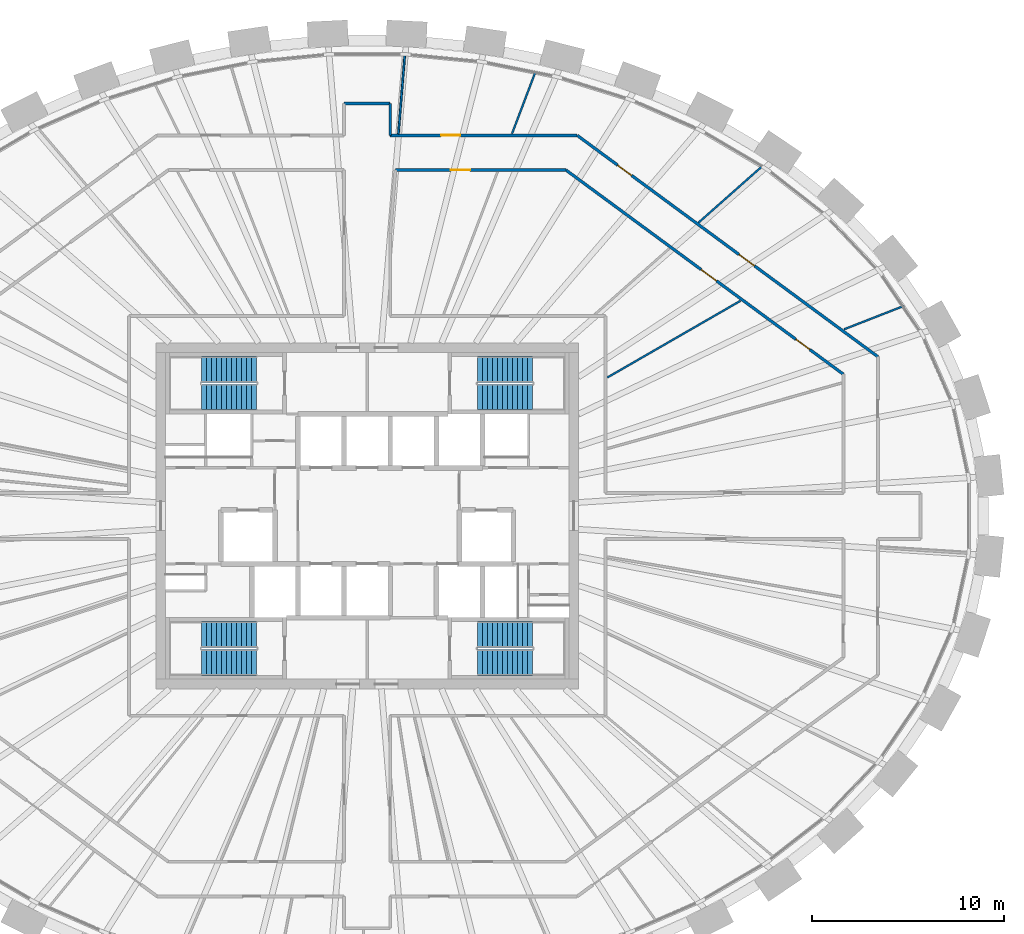
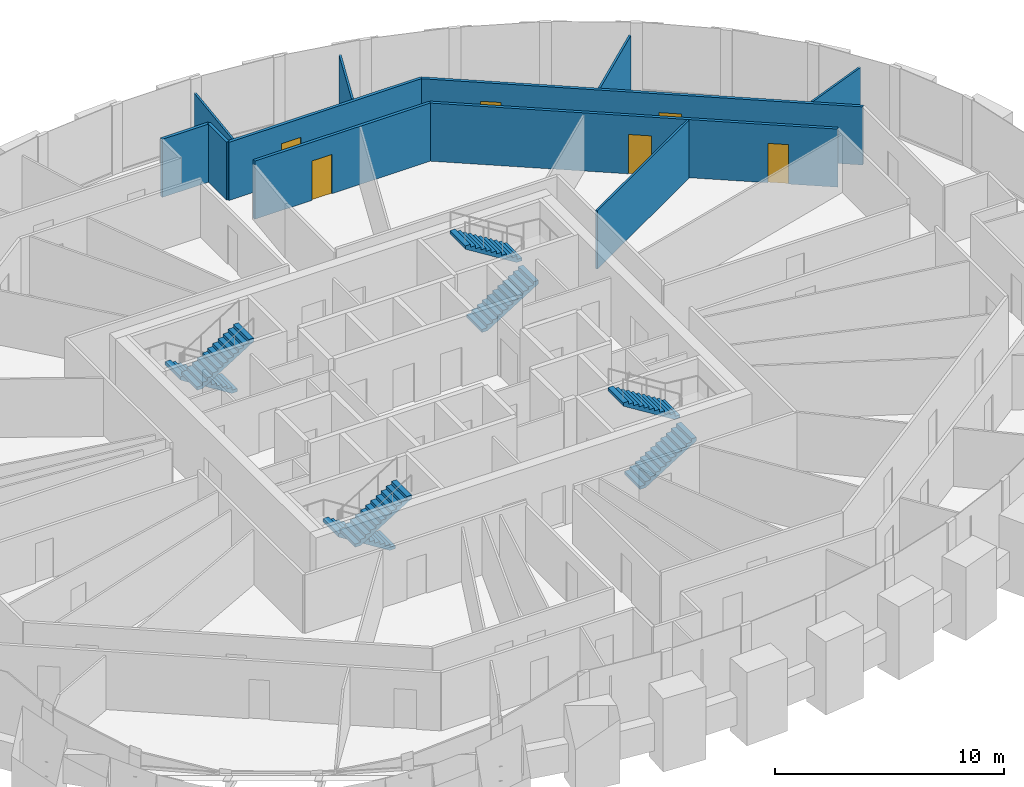
# One storey, part 11 of 12: 11 walls, 8 stair flights, 6 doors, 6 openings, 4 elements without a shape of their own.
"""IFC4 building model written with IfcOpenShell, lengths in metres."""

from ifc_helpers import new_model, si_unit, direction, frame, frame_2d, origin, place, context, subcontext, project, spatial, polyline, rectangle, outline, extrude, source, transform, mapped, material, layer, layer_set, type_object, element, fill, aggregate, save


model = new_model("IFC4")

# Units and contexts
model_context = context("Model", 3, precision=1e-05, world=origin(), true_north=direction((0.0, 1.0)))
body_context = subcontext(model_context, "Body", "Model", "MODEL_VIEW")
ifc_project = project(units=[si_unit("LENGTHUNIT", "METRE"), si_unit("AREAUNIT", "SQUARE_METRE"), si_unit("VOLUMEUNIT", "CUBIC_METRE"), si_unit("PLANEANGLEUNIT", "RADIAN"), si_unit("MASSUNIT", "GRAM", prefix="KILO")], contexts=[model_context])

# Site, building, storey
site_placement = place(None, origin())
site = spatial("IfcSite", under=ifc_project, at=site_placement, CompositionType="ELEMENT")
building_placement = place(site_placement, origin())
building = spatial("IfcBuilding", under=site, at=building_placement, Name="Embergate Tower", CompositionType="ELEMENT")
storey_placement = place(building_placement, frame((0.0, 0.0, 273.39990234375)))
storey = spatial("IfcBuildingStorey", under=building, at=storey_placement, Name="L63", CompositionType="ELEMENT", Elevation=273.39990234375)

# Wall
ifc_material_1 = material(Name="Corridor wall dry-lined 150")
ifc_layer_1 = layer(ifc_material_1, 0.14990234375)
ifc_layer_set_1 = layer_set([ifc_layer_1], Name="Corridor wall dry-lined 150")
wall_type_1 = type_object("IfcWallType", Name="Corridor wall dry-lined 150", PredefinedType="PARTITIONING", material=ifc_layer_set_1)
shared_shape_1 = source(origin(), body_context, "Body", "SweptSolid", [
    extrude(rectangle(XDim=2.39990234375, YDim=0.14990234375, at=frame_2d((1.199951171875, 0.0))), origin(), (0.0, 0.0, 1.0), 3.10009765625),
])
wall_1_placement = place(storey_placement, frame((-1.199951171875, 21.458984375, 0.0), z_axis=(0.0, 0.0, 1.0), x_axis=(1.0, 0.0, 0.0)))
element("IfcWall", 1, at=wall_1_placement, inside=storey, type_object=wall_type_1, Name="IP-2 wall", PredefinedType="PARTITIONING", context=body_context, shape_type="MappedRepresentation", body=[
    mapped(shared_shape_1, transform((0.0, 0.0, 0.0))),
])

# Wall, openings, doors
shared_shape_2 = source(origin(), body_context, "Body", "SweptSolid", [
    extrude(rectangle(XDim=19.429931640625, YDim=0.14990234375, at=frame_2d((9.71484375, 0.0))), origin(), (0.0, 0.0, 1.0), 3.10009765625),
])
wall_2_placement = place(storey_placement, frame((26.5810546875, 8.283935546875, 0.0), z_axis=(0.0, 0.0, 1.0), x_axis=(-0.8053507143, 0.592798639486, 0.0)))
wall_2 = element("IfcWall", 2, at=wall_2_placement, inside=storey, type_object=wall_type_1, Name="IP-2 wall", PredefinedType="PARTITIONING", context=body_context, shape_type="MappedRepresentation", body=[
    mapped(shared_shape_2, transform((0.0, 0.0, 0.0))),
])
shared_shape_3 = source(origin(), body_context, "Body", "SweptSolid", [
    extrude(rectangle(XDim=1.0, YDim=2.10009765625, at=frame_2d((0.5, 1.050048828125))), frame((0.0, 0.0849609375, 0.0), z_axis=(0.0, -1.0, 0.0), x_axis=(1.0, 0.0, 0.0)), (0.0, 0.0, 1.0), 0.169921875),
])
opening_1_placement = place(wall_2_placement, frame((7.97607421875, 0.0, 0.0)))
opening_1 = element("IfcOpeningElement", 3, at=opening_1_placement, cuts=wall_2, Name="Opening ID-2", PredefinedType="OPENING", context=body_context, shape_type="MappedRepresentation", body=[
    mapped(shared_shape_3, transform((0.0, 0.0, 0.0))),
])
shared_shape_4 = source(origin(), body_context, "Body", "SweptSolid", [
    extrude(rectangle(XDim=0.89990234375, YDim=2.10009765625, at=frame_2d((0.449951171875, 1.050048828125))), frame((0.0, 0.0849609375, 0.0), z_axis=(0.0, -1.0, 0.0), x_axis=(1.0, 0.0, 0.0)), (0.0, 0.0, 1.0), 0.169921875),
])
opening_2_placement = place(wall_2_placement, frame((15.9150390625, 0.0, 0.0)))
opening_2 = element("IfcOpeningElement", 4, at=opening_2_placement, cuts=wall_2, Name="Opening IF-1c", PredefinedType="OPENING", context=body_context, shape_type="MappedRepresentation", body=[
    mapped(shared_shape_4, transform((0.0, 0.0, 0.0))),
])
ifc_material_2 = material(Name="Escape fire door 900")
door_type_1 = type_object("IfcDoorType", Name="Escape fire door 900", OperationType="SINGLE_SWING_LEFT", PredefinedType="DOOR", material=ifc_material_2)
shared_shape_5 = source(origin(), body_context, "Body", "SweptSolid", [
    extrude(rectangle(XDim=0.89990234375, YDim=2.10009765625, at=frame_2d((0.449951171875, 1.050048828125))), frame((0.0, 0.02490234375, 0.0), z_axis=(0.0, -1.0, 0.0), x_axis=(1.0, 0.0, 0.0)), (0.0, 0.0, 1.0), 0.050048828125),
])
door_1_placement = place(opening_2_placement, origin())
door_1 = element("IfcDoor", 5, at=door_1_placement, inside=storey, type_object=door_type_1, Name="IF-1 door", OperationType="SINGLE_SWING_RIGHT", OverallHeight=2.10009765625, OverallWidth=0.89990234375, PredefinedType="DOOR", context=body_context, shape_type="MappedRepresentation", body=[
    mapped(shared_shape_5, transform((0.0, 0.0, 0.0))),
])
fill(opening_2, door_1)
ifc_material_3 = material(Name="Interior door 1000")
door_type_2 = type_object("IfcDoorType", Name="Interior door 1000", OperationType="SINGLE_SWING_LEFT", PredefinedType="DOOR", material=ifc_material_3)
shared_shape_6 = source(origin(), body_context, "Body", "SweptSolid", [
    extrude(rectangle(XDim=1.0, YDim=2.10009765625, at=frame_2d((0.5, 1.050048828125))), frame((0.0, 0.02490234375, 0.0), z_axis=(0.0, -1.0, 0.0), x_axis=(1.0, 0.0, 0.0)), (0.0, 0.0, 1.0), 0.050048828125),
])
door_2_placement = place(opening_1_placement, origin())
door_2 = element("IfcDoor", 6, at=door_2_placement, inside=storey, type_object=door_type_2, Name="ID-2 door", OperationType="SINGLE_SWING_LEFT", OverallHeight=2.10009765625, OverallWidth=1.0, PredefinedType="DOOR", context=body_context, shape_type="MappedRepresentation", body=[
    mapped(shared_shape_6, transform((0.0, 0.0, 0.0))),
])
fill(opening_1, door_2)

# Wall, opening, door
shared_shape_7 = source(origin(), body_context, "Body", "SweptSolid", [
    extrude(rectangle(XDim=9.733154296875, YDim=0.14990234375, at=frame_2d((4.86669921875, 0.0))), origin(), (0.0, 0.0, 1.0), 3.10009765625),
])
wall_3_placement = place(storey_placement, frame((1.199951171875, 19.802001953125, 0.0), z_axis=(0.0, 0.0, 1.0), x_axis=(1.0, 0.0, 0.0)))
wall_3 = element("IfcWall", 7, at=wall_3_placement, inside=storey, type_object=wall_type_1, Name="IP-2 wall", PredefinedType="PARTITIONING", context=body_context, shape_type="MappedRepresentation", body=[
    mapped(shared_shape_7, transform((0.0, 0.0, 0.0))),
])
opening_3_placement = place(wall_3_placement, frame((2.64599609375, 0.0, 0.0)))
opening_3 = element("IfcOpeningElement", 8, at=opening_3_placement, cuts=wall_3, Name="Opening ID-2", PredefinedType="OPENING", context=body_context, shape_type="MappedRepresentation", body=[
    mapped(shared_shape_3, transform((0.0, 0.0, 0.0))),
])
door_3_placement = place(opening_3_placement, origin())
door_3 = element("IfcDoor", 9, at=door_3_placement, inside=storey, type_object=door_type_2, Name="ID-2 door", OperationType="SINGLE_SWING_RIGHT", OverallHeight=2.10009765625, OverallWidth=1.0, PredefinedType="DOOR", context=body_context, shape_type="MappedRepresentation", body=[
    mapped(shared_shape_6, transform((0.0, 0.0, 0.0))),
])
fill(opening_3, door_3)

# Wall, openings, doors
shared_shape_8 = source(origin(), body_context, "Body", "SweptSolid", [
    extrude(rectangle(XDim=17.9287109375, YDim=0.14990234375, at=frame_2d((8.96435546875, 0.0))), origin(), (0.0, 0.0, 1.0), 3.10009765625),
])
wall_4_placement = place(storey_placement, frame((24.781005859375, 7.3740234375, 0.0), z_axis=(0.0, 0.0, 1.0), x_axis=(-0.805356928681, 0.592790196803, 0.0)))
wall_4 = element("IfcWall", 10, at=wall_4_placement, inside=storey, type_object=wall_type_1, Name="IP-2 wall", PredefinedType="PARTITIONING", context=body_context, shape_type="MappedRepresentation", body=[
    mapped(shared_shape_8, transform((0.0, 0.0, 0.0))),
])
opening_4_placement = place(wall_4_placement, frame((2.16259765625, 0.0, 0.0)))
opening_4 = element("IfcOpeningElement", 11, at=opening_4_placement, cuts=wall_4, Name="Opening IF-1c", PredefinedType="OPENING", context=body_context, shape_type="MappedRepresentation", body=[
    mapped(shared_shape_4, transform((0.0, 0.0, 0.0))),
])
opening_5_placement = place(wall_4_placement, frame((8.192138671875, 0.0, 0.0)))
opening_5 = element("IfcOpeningElement", 12, at=opening_5_placement, cuts=wall_4, Name="Opening ID-2", PredefinedType="OPENING", context=body_context, shape_type="MappedRepresentation", body=[
    mapped(shared_shape_3, transform((0.0, 0.0, 0.0))),
])
door_4_placement = place(opening_4_placement, origin())
door_4 = element("IfcDoor", 13, at=door_4_placement, inside=storey, type_object=door_type_1, Name="IF-1 door", OperationType="SINGLE_SWING_RIGHT", OverallHeight=2.10009765625, OverallWidth=0.89990234375, PredefinedType="DOOR", context=body_context, shape_type="MappedRepresentation", body=[
    mapped(shared_shape_5, transform((0.0, 0.0, 0.0))),
])
fill(opening_4, door_4)
door_5_placement = place(opening_5_placement, origin())
door_5 = element("IfcDoor", 14, at=door_5_placement, inside=storey, type_object=door_type_2, Name="ID-2 door", OperationType="SINGLE_SWING_LEFT", OverallHeight=2.10009765625, OverallWidth=1.0, PredefinedType="DOOR", context=body_context, shape_type="MappedRepresentation", body=[
    mapped(shared_shape_6, transform((0.0, 0.0, 0.0))),
])
fill(opening_5, door_5)

# Wall
shared_shape_9 = source(origin(), body_context, "Body", "SweptSolid", [
    extrude(rectangle(XDim=1.656982421875, YDim=0.14990234375, at=frame_2d((0.82861328125, 0.0))), origin(), (0.0, 0.0, 1.0), 3.10009765625),
])
wall_5_placement = place(storey_placement, frame((1.199951171875, 21.458984375, 0.0), z_axis=(0.0, 0.0, 1.0), x_axis=(0.0, -1.0, 0.0)))
element("IfcWall", 15, at=wall_5_placement, inside=storey, type_object=wall_type_1, Name="IP-2 wall", PredefinedType="PARTITIONING", context=body_context, shape_type="MappedRepresentation", body=[
    mapped(shared_shape_9, transform((0.0, 0.0, 0.0))),
])

# Wall, opening, door
shared_shape_10 = source(origin(), body_context, "Body", "SweptSolid", [
    extrude(rectangle(XDim=8.8720703125, YDim=0.14990234375, at=frame_2d((4.43603515625, 0.0))), origin(), (0.0, 0.0, 1.0), 3.10009765625),
])
wall_6_placement = place(storey_placement, frame((1.469970703125, 18.001953125, 0.0), z_axis=(0.0, 0.0, 1.0), x_axis=(1.0, 0.0, 0.0)))
wall_6 = element("IfcWall", 16, at=wall_6_placement, inside=storey, type_object=wall_type_1, Name="IP-2 wall", PredefinedType="PARTITIONING", context=body_context, shape_type="MappedRepresentation", body=[
    mapped(shared_shape_10, transform((0.0, 0.0, 0.0))),
])
opening_6_placement = place(wall_6_placement, frame((2.8916015625, 0.0, 0.0)))
opening_6 = element("IfcOpeningElement", 17, at=opening_6_placement, cuts=wall_6, Name="Opening ID-2", PredefinedType="OPENING", context=body_context, shape_type="MappedRepresentation", body=[
    mapped(shared_shape_3, transform((0.0, 0.0, 0.0))),
])
door_6_placement = place(opening_6_placement, origin())
door_6 = element("IfcDoor", 18, at=door_6_placement, inside=storey, type_object=door_type_2, Name="ID-2 door", OperationType="SINGLE_SWING_RIGHT", OverallHeight=2.10009765625, OverallWidth=1.0, PredefinedType="DOOR", context=body_context, shape_type="MappedRepresentation", body=[
    mapped(shared_shape_6, transform((0.0, 0.0, 0.0))),
])
fill(opening_6, door_6)

# Walls
ifc_material_4 = material(Name="Partition dry-lined 100")
ifc_layer_2 = layer(ifc_material_4, 0.10009765625)
ifc_layer_set_2 = layer_set([ifc_layer_2], Name="Partition dry-lined 100")
wall_type_2 = type_object("IfcWallType", Name="Partition dry-lined 100", PredefinedType="PARTITIONING", material=ifc_layer_set_2)
shared_shape_11 = source(origin(), body_context, "Body", "SweptSolid", [
    extrude(rectangle(XDim=3.367431640625, YDim=0.10009765625, at=frame_2d((1.68359375, 0.0))), origin(), (0.0, 0.0, 1.0), 3.10009765625),
])
wall_7_placement = place(storey_placement, frame((24.81591796875, 9.7099609375, 0.0), z_axis=(0.0, 0.0, 1.0), x_axis=(0.931250267116, 0.364380213509, 0.0)))
element("IfcWall", 19, at=wall_7_placement, inside=storey, type_object=wall_type_2, Name="IP-1 wall", PredefinedType="PARTITIONING", context=body_context, shape_type="MappedRepresentation", body=[
    mapped(shared_shape_11, transform((0.0, 0.0, 0.0))),
])
shared_shape_12 = source(origin(), body_context, "Body", "SweptSolid", [
    extrude(rectangle(XDim=4.40869140625, YDim=0.10009765625, at=frame_2d((2.204345703125, 0.0))), origin(), (0.0, 0.0, 1.0), 3.0),
])
wall_8_placement = place(storey_placement, frame((20.5439453125, 18.18505859375, 0.0), z_axis=(0.0, 0.0, 1.0), x_axis=(-0.748773489232, -0.662825966468, 0.0)))
element("IfcWall", 20, at=wall_8_placement, inside=storey, type_object=wall_type_2, Name="IP-1 wall", PredefinedType="PARTITIONING", context=body_context, shape_type="MappedRepresentation", body=[
    mapped(shared_shape_12, transform((0.0, 0.0, 0.0))),
])
shared_shape_13 = source(origin(), body_context, "Body", "SweptSolid", [
    extrude(rectangle(XDim=7.996826171875, YDim=0.10009765625, at=frame_2d((3.99853515625, 0.0))), origin(), (0.0, 0.0, 1.0), 3.10009765625),
])
wall_9_placement = place(storey_placement, frame((12.5, 7.202880859375, 0.0), z_axis=(0.0, 0.0, 1.0), x_axis=(0.866471599143, 0.499226369374, 0.0)))
element("IfcWall", 21, at=wall_9_placement, inside=storey, type_object=wall_type_2, Name="IP-1 wall", PredefinedType="PARTITIONING", context=body_context, shape_type="MappedRepresentation", body=[
    mapped(shared_shape_13, transform((0.0, 0.0, 0.0))),
])
shared_shape_14 = source(origin(), body_context, "Body", "SweptSolid", [
    extrude(rectangle(XDim=3.429443359375, YDim=0.10009765625, at=frame_2d((1.71484375, 0.0))), origin(), (0.0, 0.0, 1.0), 3.10009765625),
])
wall_10_placement = place(storey_placement, frame((7.5390625, 19.89404296875, 0.0), z_axis=(0.0, 0.0, 1.0), x_axis=(0.354242155274, 0.935153728232, 0.0)))
element("IfcWall", 22, at=wall_10_placement, inside=storey, type_object=wall_type_2, Name="IP-1 wall", PredefinedType="PARTITIONING", context=body_context, shape_type="MappedRepresentation", body=[
    mapped(shared_shape_14, transform((0.0, 0.0, 0.0))),
])
shared_shape_15 = source(origin(), body_context, "Body", "SweptSolid", [
    extrude(rectangle(XDim=4.148681640625, YDim=0.10009765625, at=frame_2d((2.07421875, 0.0))), origin(), (0.0, 0.0, 1.0), 2.900146484375),
])
wall_11_placement = place(storey_placement, frame((1.6240234375, 19.8759765625, 0.0), z_axis=(0.0, 0.0, 1.0), x_axis=(0.081209302503, 0.99669706992, 0.0)))
element("IfcWall", 23, at=wall_11_placement, inside=storey, type_object=wall_type_2, Name="IP-1 wall", PredefinedType="PARTITIONING", context=body_context, shape_type="MappedRepresentation", body=[
    mapped(shared_shape_15, transform((0.0, 0.0, 0.0))),
])

# Stair, stair flights
ifc_material_5 = material(Name="Exit stair")
stair_type = type_object("IfcStairType", Name="Exit stair", PredefinedType="HALF_TURN_STAIR", material=ifc_material_5)
stair_1_placement = place(storey_placement, origin())
stair_1 = element("IfcStair", 24, at=stair_1_placement, inside=storey, type_object=stair_type, Name="L63 Exit stair 1", PredefinedType="HALF_TURN_STAIR")
ifc_material_6 = material(Name="Concrete C40", Category="concrete")
stair_flight_type = type_object("IfcStairFlightType", Name="Stair flight reinforced concrete", PredefinedType="STRAIGHT", material=ifc_material_6)
shared_shape_16 = source(origin(), body_context, "Body", "SweptSolid", [
    extrude(outline(polyline([(0.0, 0.0), (0.0, 0.16259765625), (0.260009765625, 0.16259765625), (0.260009765625, 0.324951171875), (0.52001953125, 0.324951171875), (0.52001953125, 0.487548828125), (0.780029296875, 0.487548828125), (0.780029296875, 0.64990234375), (1.0400390625, 0.64990234375), (1.0400390625, 0.8125), (1.300048828125, 0.8125), (1.300048828125, 0.97509765625), (1.56005859375, 0.97509765625), (1.56005859375, 1.137451171875), (1.820068359375, 1.137451171875), (1.820068359375, 1.300048828125), (2.080078125, 1.300048828125), (2.080078125, 1.46240234375), (2.340087890625, 1.46240234375), (2.340087890625, 1.625), (2.60009765625, 1.625), (2.60009765625, 1.78759765625), (2.860107421875, 1.78759765625), (2.860107421875, 1.949951171875), (2.860107421875, 1.61083984375), (0.28271484375, 0.0), (0.0, 0.0)])), frame((0.0, 0.675048828125, 0.0), z_axis=(0.0, -1.0, 0.0), x_axis=(1.0, 0.0, 0.0)), (0.0, 0.0, 1.0), 1.35009765625),
])
stair_flight_1_placement = place(storey_placement, frame((-5.75, 7.625, 0.0), z_axis=(0.0, 0.0, 1.0), x_axis=(-1.0, 0.0, 0.0)))
stair_flight_1 = element("IfcStairFlight", 25, at=stair_flight_1_placement, type_object=stair_flight_type, Name="ST1 flight 1", NumberOfRisers=12, NumberOfTreads=11, PredefinedType="STRAIGHT", RiserHeight=0.1625, TreadLength=0.26, context=body_context, shape_type="MappedRepresentation", body=[
    mapped(shared_shape_16, transform((0.0, 0.0, 0.0))),
])
stair_flight_2_placement = place(storey_placement, frame((-8.610107421875, 6.175048828125, 1.9501953125), z_axis=(0.0, 0.0, 1.0), x_axis=(1.0, 0.0, 0.0)))
stair_flight_2 = element("IfcStairFlight", 26, at=stair_flight_2_placement, type_object=stair_flight_type, Name="ST1 flight 2", NumberOfRisers=12, NumberOfTreads=11, PredefinedType="STRAIGHT", RiserHeight=0.1625, TreadLength=0.26, context=body_context, shape_type="MappedRepresentation", body=[
    mapped(shared_shape_16, transform((0.0, 0.0, 0.0))),
])
aggregate(stair_1, [stair_flight_1, stair_flight_2])

stair_2_placement = place(storey_placement, origin())
stair_2 = element("IfcStair", 27, at=stair_2_placement, inside=storey, type_object=stair_type, Name="L63 Exit stair 2", PredefinedType="HALF_TURN_STAIR")
stair_flight_3_placement = place(storey_placement, frame((5.75, 6.175048828125, 0.0), z_axis=(0.0, 0.0, 1.0), x_axis=(1.0, 0.0, 0.0)))
stair_flight_3 = element("IfcStairFlight", 28, at=stair_flight_3_placement, type_object=stair_flight_type, Name="ST2 flight 1", NumberOfRisers=12, NumberOfTreads=11, PredefinedType="STRAIGHT", RiserHeight=0.1625, TreadLength=0.26, context=body_context, shape_type="MappedRepresentation", body=[
    mapped(shared_shape_16, transform((0.0, 0.0, 0.0))),
])
stair_flight_4_placement = place(storey_placement, frame((8.610107421875, 7.625, 1.9501953125), z_axis=(0.0, 0.0, 1.0), x_axis=(-1.0, 0.0, 0.0)))
stair_flight_4 = element("IfcStairFlight", 29, at=stair_flight_4_placement, type_object=stair_flight_type, Name="ST2 flight 2", NumberOfRisers=12, NumberOfTreads=11, PredefinedType="STRAIGHT", RiserHeight=0.1625, TreadLength=0.26, context=body_context, shape_type="MappedRepresentation", body=[
    mapped(shared_shape_16, transform((0.0, 0.0, 0.0))),
])
aggregate(stair_2, [stair_flight_3, stair_flight_4])

stair_3_placement = place(storey_placement, origin())
stair_3 = element("IfcStair", 30, at=stair_3_placement, inside=storey, type_object=stair_type, Name="L63 Exit stair 3", PredefinedType="HALF_TURN_STAIR")
stair_flight_5_placement = place(storey_placement, frame((-5.75, -6.175048828125, 0.0), z_axis=(0.0, 0.0, 1.0), x_axis=(-1.0, 0.0, 0.0)))
stair_flight_5 = element("IfcStairFlight", 31, at=stair_flight_5_placement, type_object=stair_flight_type, Name="ST3 flight 1", NumberOfRisers=12, NumberOfTreads=11, PredefinedType="STRAIGHT", RiserHeight=0.1625, TreadLength=0.26, context=body_context, shape_type="MappedRepresentation", body=[
    mapped(shared_shape_16, transform((0.0, 0.0, 0.0))),
])
stair_flight_6_placement = place(storey_placement, frame((-8.610107421875, -7.625, 1.9501953125), z_axis=(0.0, 0.0, 1.0), x_axis=(1.0, 0.0, 0.0)))
stair_flight_6 = element("IfcStairFlight", 32, at=stair_flight_6_placement, type_object=stair_flight_type, Name="ST3 flight 2", NumberOfRisers=12, NumberOfTreads=11, PredefinedType="STRAIGHT", RiserHeight=0.1625, TreadLength=0.26, context=body_context, shape_type="MappedRepresentation", body=[
    mapped(shared_shape_16, transform((0.0, 0.0, 0.0))),
])
aggregate(stair_3, [stair_flight_5, stair_flight_6])

stair_4_placement = place(storey_placement, origin())
stair_4 = element("IfcStair", 33, at=stair_4_placement, inside=storey, type_object=stair_type, Name="L63 Exit stair 4", PredefinedType="HALF_TURN_STAIR")
stair_flight_7_placement = place(storey_placement, frame((5.75, -7.625, 0.0), z_axis=(0.0, 0.0, 1.0), x_axis=(1.0, 0.0, 0.0)))
stair_flight_7 = element("IfcStairFlight", 34, at=stair_flight_7_placement, type_object=stair_flight_type, Name="ST4 flight 1", NumberOfRisers=12, NumberOfTreads=11, PredefinedType="STRAIGHT", RiserHeight=0.1625, TreadLength=0.26, context=body_context, shape_type="MappedRepresentation", body=[
    mapped(shared_shape_16, transform((0.0, 0.0, 0.0))),
])
stair_flight_8_placement = place(storey_placement, frame((8.610107421875, -6.175048828125, 1.9501953125), z_axis=(0.0, 0.0, 1.0), x_axis=(-1.0, 0.0, 0.0)))
stair_flight_8 = element("IfcStairFlight", 35, at=stair_flight_8_placement, type_object=stair_flight_type, Name="ST4 flight 2", NumberOfRisers=12, NumberOfTreads=11, PredefinedType="STRAIGHT", RiserHeight=0.1625, TreadLength=0.26, context=body_context, shape_type="MappedRepresentation", body=[
    mapped(shared_shape_16, transform((0.0, 0.0, 0.0))),
])
aggregate(stair_4, [stair_flight_7, stair_flight_8])

save(model, "model.ifc")
